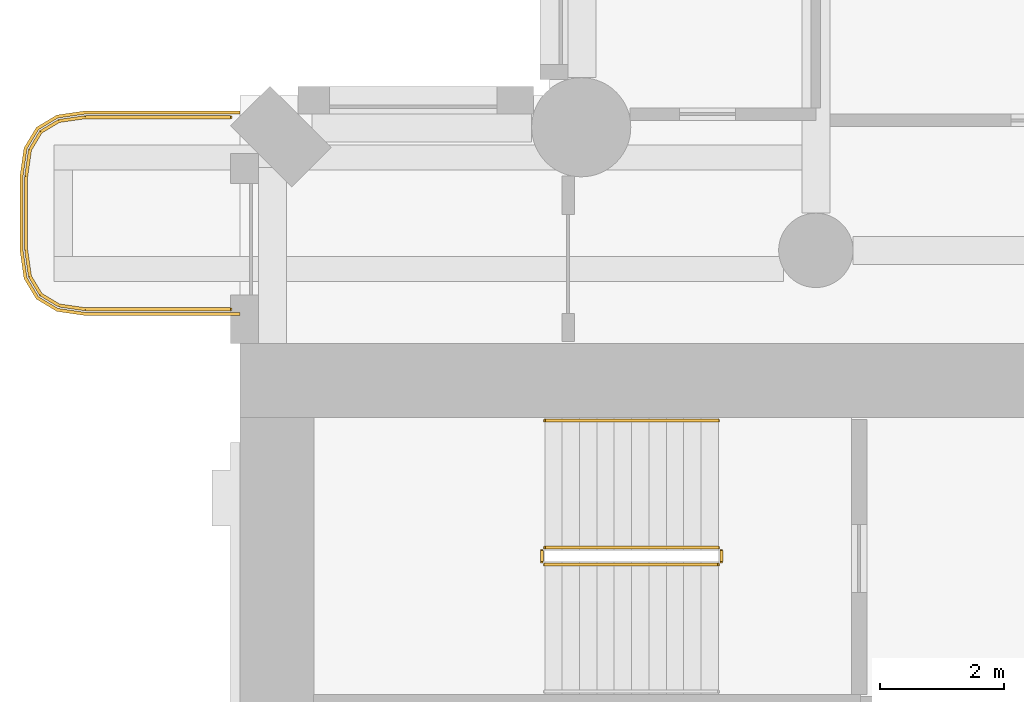
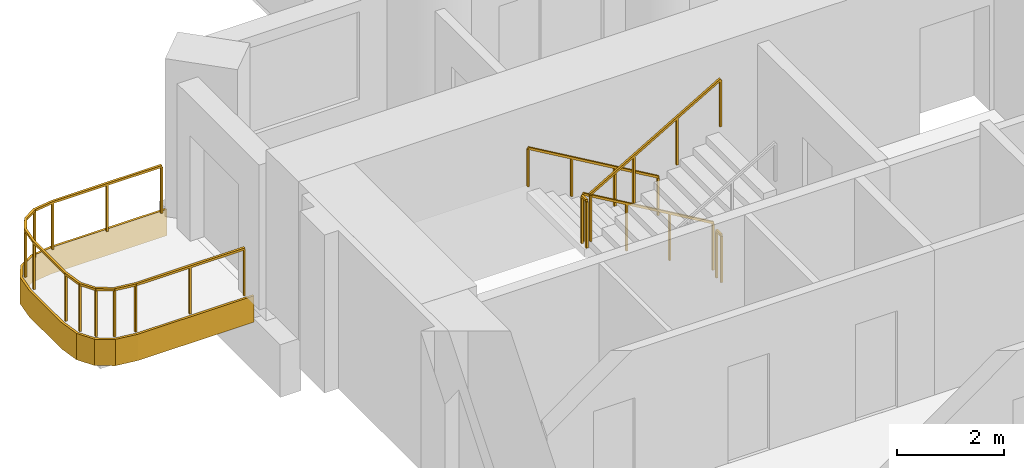
# One storey, part 16 of 19: 6 railings, 1 covering.
"""IFC4 building model written with IfcOpenShell, lengths in metres."""

from ifc_helpers import new_model, si_unit, direction, frame, origin, origin_2d, place, context, subcontext, project, spatial, polyline, rectangle, outline, extrude, material, layer, layer_set, type_object, element, save


model = new_model("IFC4")

# Units and contexts
model_context = context("Model", 3, precision=1e-05, world=origin(), true_north=direction((0.0, 1.0)))
body_context = subcontext(model_context, "Body", "Model", "MODEL_VIEW")
ifc_project = project(units=[si_unit("LENGTHUNIT", "METRE"), si_unit("AREAUNIT", "SQUARE_METRE"), si_unit("VOLUMEUNIT", "CUBIC_METRE"), si_unit("PLANEANGLEUNIT", "RADIAN"), si_unit("MASSUNIT", "GRAM", prefix="KILO")], contexts=[model_context])

# Site, building, storey
site_placement = place(None, origin())
site = spatial("IfcSite", under=ifc_project, at=site_placement, CompositionType="ELEMENT")
building_placement = place(site_placement, origin())
building = spatial("IfcBuilding", under=site, at=building_placement, Name="Cypress Arch Tower", CompositionType="ELEMENT")
storey_placement = place(building_placement, frame((0.0, 0.0, 66.300048828125)))
storey = spatial("IfcBuildingStorey", under=building, at=storey_placement, Name="L10", CompositionType="ELEMENT", Elevation=66.300048828125)

# Covering
ifc_material_1 = material(Name="White powder-coated aluminium fascia", Category="aluminium")
ifc_layer = layer(ifc_material_1, 0.050048828125)
ifc_layer_set = layer_set([ifc_layer], Name="Balcony fascia BF50")
covering_type = type_object("IfcCoveringType", Name="Balcony fascia BF50", PredefinedType="CLADDING", material=ifc_layer_set)
covering_placement = place(storey_placement, frame((0.0, 0.0, -0.60009765625)))
element("IfcCovering", 1, at=covering_placement, inside=storey, type_object=covering_type, Name="Balcony fascia L10-A00W0", PredefinedType="CLADDING", context=body_context, shape_type="SweptSolid", body=[
    extrude(outline(polyline([(-32.503662109375, 16.449951171875), (-32.95458984375, 16.514404296875), (-33.286376953125, 16.713623046875), (-33.485595703125, 17.04541015625), (-33.550048828125, 17.496337890625), (-33.550048828125, 18.70361328125), (-33.485595703125, 19.154541015625), (-33.286376953125, 19.486328125), (-32.95458984375, 19.685546875), (-32.503662109375, 19.75), (-30.0009765625, 19.75), (-30.0009765625, 19.699951171875), (-32.5, 19.699951171875), (-32.9375, 19.637451171875), (-33.25, 19.449951171875), (-33.4375, 19.137451171875), (-33.5, 18.699951171875), (-33.5, 17.5), (-33.4375, 17.0625), (-33.25, 16.75), (-32.9375, 16.5625), (-32.5, 16.5), (-30.0009765625, 16.5), (-30.0009765625, 16.449951171875), (-32.503662109375, 16.449951171875)])), origin(), (0.0, 0.0, 1.0), 0.60009765625),
])

# Railings
ifc_material_2 = material(Name="Powder-coated steel posts and rods, 100 mm clear between rods", Category="steel")
railing_type_1 = type_object("IfcRailingType", Name="Balcony guard GR1100", PredefinedType="GUARDRAIL", material=ifc_material_2)
railing_1_placement = place(storey_placement, frame((-30.14990234375, 16.550048828125, 0.0)))
element("IfcRailing", 2, at=railing_1_placement, inside=storey, type_object=railing_type_1, Name="Balcony guard L10-A00W0", PredefinedType="GUARDRAIL", context=body_context, shape_type="SweptSolid", body=[
    extrude(rectangle(XDim=0.050048828125, YDim=0.050048828125, at=origin_2d()), frame((0.0, 0.0, 1.0751953125), z_axis=(-1.0, 0.0, 0.0), x_axis=(0.0, -1.0, 0.0)), (0.0, 0.0, 1.0), 2.346435546875),
    extrude(rectangle(XDim=0.050048828125, YDim=0.050048828125, at=origin_2d()), frame((-2.346435546875, 0.0, 1.0751953125), z_axis=(-0.989960888959, 0.141341566184, 0.0), x_axis=(-0.141341566184, -0.989960888959, 0.0)), (0.0, 0.0, 1.0), 0.428466796875),
    extrude(rectangle(XDim=0.050048828125, YDim=0.050048828125, at=origin_2d()), frame((-2.7705078125, 0.060546875, 1.0751953125), z_axis=(-0.857681904839, 0.514180659021, 0.0), x_axis=(-0.514180659021, -0.857681904839, 0.0)), (0.0, 0.0, 1.0), 0.341796875),
    extrude(rectangle(XDim=0.050048828125, YDim=0.050048828125, at=origin_2d()), frame((-3.063720703125, 0.236328125, 1.0751953125), z_axis=(-0.514180659021, 0.857681904839, 0.0), x_axis=(-0.857681904839, -0.514180659021, 0.0)), (0.0, 0.0, 1.0), 0.341796875),
    extrude(rectangle(XDim=0.050048828125, YDim=0.050048828125, at=origin_2d()), frame((-3.239501953125, 0.529541015625, 1.0751953125), z_axis=(-0.141341566184, 0.989960888959, 0.0), x_axis=(-0.989960888959, -0.141341566184, 0.0)), (0.0, 0.0, 1.0), 0.428466796875),
    extrude(rectangle(XDim=0.050048828125, YDim=0.050048828125, at=origin_2d()), frame((-3.300048828125, 0.95361328125, 1.0751953125), z_axis=(0.0, 1.0, 0.0), x_axis=(-1.0, 0.0, 0.0)), (0.0, 0.0, 1.0), 1.19287109375),
    extrude(rectangle(XDim=0.050048828125, YDim=0.050048828125, at=origin_2d()), frame((-3.300048828125, 2.146484375, 1.0751953125), z_axis=(0.141421356237, 0.989949493661, 0.0), x_axis=(-0.989949493661, 0.141421356237, 0.0)), (0.0, 0.0, 1.0), 0.42822265625),
    extrude(rectangle(XDim=0.050048828125, YDim=0.050048828125, at=origin_2d()), frame((-3.239501953125, 2.5703125, 1.0751953125), z_axis=(0.514180659021, 0.857681904839, 0.0), x_axis=(-0.857681904839, 0.514180659021, 0.0)), (0.0, 0.0, 1.0), 0.341796875),
    extrude(rectangle(XDim=0.050048828125, YDim=0.050048828125, at=origin_2d()), frame((-3.063720703125, 2.863525390625, 1.0751953125), z_axis=(0.857681904839, 0.514180659021, 0.0), x_axis=(-0.514180659021, 0.857681904839, 0.0)), (0.0, 0.0, 1.0), 0.341796875),
    extrude(rectangle(XDim=0.050048828125, YDim=0.050048828125, at=origin_2d()), frame((-2.7705078125, 3.039306640625, 1.0751953125), z_axis=(0.989960888959, 0.141341566184, 0.0), x_axis=(-0.141341566184, 0.989960888959, 0.0)), (0.0, 0.0, 1.0), 0.428466796875),
    extrude(rectangle(XDim=0.050048828125, YDim=0.050048828125, at=origin_2d()), frame((-2.346435546875, 3.099853515625, 1.0751953125), z_axis=(1.0, 0.0, 0.0), x_axis=(0.0, 1.0, 0.0)), (0.0, 0.0, 1.0), 2.346435546875),
    extrude(rectangle(XDim=0.0400390625, YDim=0.0400390625, at=origin_2d()), origin(), (0.0, 0.0, 1.0), 1.050048828125),
    extrude(rectangle(XDim=0.0400390625, YDim=0.0400390625, at=origin_2d()), frame((-1.17333984375, 0.0, 0.0)), (0.0, 0.0, 1.0), 1.050048828125),
    extrude(rectangle(XDim=0.0400390625, YDim=0.0400390625, at=origin_2d()), frame((-2.346435546875, 0.0, 0.0)), (0.0, 0.0, 1.0), 1.050048828125),
    extrude(rectangle(XDim=0.0400390625, YDim=0.0400390625, at=origin_2d()), frame((-2.7705078125, 0.060546875, 0.0)), (0.0, 0.0, 1.0), 1.050048828125),
    extrude(rectangle(XDim=0.0400390625, YDim=0.0400390625, at=origin_2d()), frame((-3.063720703125, 0.236328125, 0.0)), (0.0, 0.0, 1.0), 1.050048828125),
    extrude(rectangle(XDim=0.0400390625, YDim=0.0400390625, at=origin_2d()), frame((-3.239501953125, 0.529541015625, 0.0)), (0.0, 0.0, 1.0), 1.050048828125),
    extrude(rectangle(XDim=0.0400390625, YDim=0.0400390625, at=origin_2d()), frame((-3.300048828125, 0.95361328125, 0.0)), (0.0, 0.0, 1.0), 1.050048828125),
    extrude(rectangle(XDim=0.0400390625, YDim=0.0400390625, at=origin_2d()), frame((-3.300048828125, 2.146484375, 0.0)), (0.0, 0.0, 1.0), 1.050048828125),
    extrude(rectangle(XDim=0.0400390625, YDim=0.0400390625, at=origin_2d()), frame((-3.239501953125, 2.5703125, 0.0)), (0.0, 0.0, 1.0), 1.050048828125),
    extrude(rectangle(XDim=0.0400390625, YDim=0.0400390625, at=origin_2d()), frame((-3.063720703125, 2.863525390625, 0.0)), (0.0, 0.0, 1.0), 1.050048828125),
    extrude(rectangle(XDim=0.0400390625, YDim=0.0400390625, at=origin_2d()), frame((-2.7705078125, 3.039306640625, 0.0)), (0.0, 0.0, 1.0), 1.050048828125),
    extrude(rectangle(XDim=0.0400390625, YDim=0.0400390625, at=origin_2d()), frame((-2.346435546875, 3.099853515625, 0.0)), (0.0, 0.0, 1.0), 1.050048828125),
    extrude(rectangle(XDim=0.0400390625, YDim=0.0400390625, at=origin_2d()), frame((-1.17333984375, 3.099853515625, 0.0)), (0.0, 0.0, 1.0), 1.050048828125),
    extrude(rectangle(XDim=0.0400390625, YDim=0.0400390625, at=origin_2d()), frame((0.0, 3.099853515625, 0.0)), (0.0, 0.0, 1.0), 1.050048828125),
])
ifc_material_3 = material(Name="Black powder-coated steel square bar 48 mm", Category="steel")
railing_type_2 = type_object("IfcRailingType", Name="Stair handrail HR1", PredefinedType="HANDRAIL", material=ifc_material_3)
railing_2_placement = place(storey_placement, frame((-22.27490234375, 14.75, 0.16357421875)))
element("IfcRailing", 3, at=railing_2_placement, inside=storey, type_object=railing_type_2, Name="L10 B stair handrail 1", PredefinedType="HANDRAIL", context=body_context, shape_type="SweptSolid", body=[
    extrude(rectangle(XDim=0.048095703125, YDim=0.048095703125, at=origin_2d()), frame((0.0, 0.0, 0.8759765625), z_axis=(-0.863360870873, 0.0, 0.504586966384), x_axis=(0.0, -1.0, 0.0)), (0.0, 0.0, 1.0), 3.2431640625),
    extrude(rectangle(XDim=0.0419921875, YDim=0.0419921875, at=origin_2d()), origin(), (0.0, 0.0, 1.0), 0.851806640625),
    extrude(rectangle(XDim=0.0419921875, YDim=0.0419921875, at=origin_2d()), frame((-0.933349609375, 0.0, 0.54541015625)), (0.0, 0.0, 1.0), 0.851806640625),
    extrude(rectangle(XDim=0.0419921875, YDim=0.0419921875, at=origin_2d()), frame((-1.86669921875, 0.0, 1.091064453125)), (0.0, 0.0, 1.0), 0.851806640625),
    extrude(rectangle(XDim=0.0419921875, YDim=0.0419921875, at=origin_2d()), frame((-2.800048828125, 0.0, 1.636474609375)), (0.0, 0.0, 1.0), 0.851806640625),
])
ifc_material_4 = material(Name="Black powder-coated steel balusters", Category="steel")
railing_type_3 = type_object("IfcRailingType", Name="Stair well guard G1", PredefinedType="GUARDRAIL", material=ifc_material_4)
railing_3_placement = place(storey_placement, frame((-22.27490234375, 12.699951171875, 0.16357421875)))
element("IfcRailing", 4, at=railing_3_placement, inside=storey, type_object=railing_type_3, Name="L10 B stair guard 1", PredefinedType="GUARDRAIL", context=body_context, shape_type="SweptSolid", body=[
    extrude(rectangle(XDim=0.048095703125, YDim=0.048095703125, at=origin_2d()), frame((0.0, 0.0, 1.076171875), z_axis=(-0.863360870873, 0.0, 0.504586966384), x_axis=(0.0, -1.0, 0.0)), (0.0, 0.0, 1.0), 3.2431640625),
    extrude(rectangle(XDim=0.0419921875, YDim=0.0419921875, at=origin_2d()), origin(), (0.0, 0.0, 1.0), 1.052001953125),
    extrude(rectangle(XDim=0.0419921875, YDim=0.0419921875, at=origin_2d()), frame((-0.933349609375, 0.0, 0.54541015625)), (0.0, 0.0, 1.0), 1.052001953125),
    extrude(rectangle(XDim=0.0419921875, YDim=0.0419921875, at=origin_2d()), frame((-1.86669921875, 0.0, 1.091064453125)), (0.0, 0.0, 1.0), 1.052001953125),
    extrude(rectangle(XDim=0.0419921875, YDim=0.0419921875, at=origin_2d()), frame((-2.800048828125, 0.0, 1.636474609375)), (0.0, 0.0, 1.0), 1.052001953125),
])
railing_4_placement = place(storey_placement, frame((-25.125, 12.64990234375, 1.800048828125)))
element("IfcRailing", 5, at=railing_4_placement, inside=storey, type_object=railing_type_3, Name="L10 B stair guard 2", PredefinedType="GUARDRAIL", context=body_context, shape_type="SweptSolid", body=[
    extrude(rectangle(XDim=0.048095703125, YDim=0.048095703125, at=origin_2d()), frame((0.0, 0.0, 1.076171875), z_axis=(0.0, -1.0, 0.0), x_axis=(1.0, 0.0, 0.0)), (0.0, 0.0, 1.0), 0.1748046875),
    extrude(rectangle(XDim=0.0419921875, YDim=0.0419921875, at=origin_2d()), origin(), (0.0, 0.0, 1.0), 1.052001953125),
    extrude(rectangle(XDim=0.0419921875, YDim=0.0419921875, at=origin_2d()), frame((0.0, -0.1748046875, 0.0)), (0.0, 0.0, 1.0), 1.052001953125),
])
railing_5_placement = place(storey_placement, frame((-25.074951171875, 12.425048828125, 1.963623046875)))
element("IfcRailing", 6, at=railing_5_placement, inside=storey, type_object=railing_type_3, Name="L10 B stair guard 3", PredefinedType="GUARDRAIL", context=body_context, shape_type="SweptSolid", body=[
    extrude(rectangle(XDim=0.048095703125, YDim=0.048095703125, at=origin_2d()), frame((0.0, 0.0, 1.076171875), z_axis=(0.863393664356, 0.0, 0.504530851732), x_axis=(0.0, 1.0, 0.0)), (0.0, 0.0, 1.0), 3.2431640625),
    extrude(rectangle(XDim=0.0419921875, YDim=0.0419921875, at=origin_2d()), origin(), (0.0, 0.0, 1.0), 1.052001953125),
    extrude(rectangle(XDim=0.0419921875, YDim=0.0419921875, at=origin_2d()), frame((0.933349609375, 0.0, 0.54541015625)), (0.0, 0.0, 1.0), 1.052001953125),
    extrude(rectangle(XDim=0.0419921875, YDim=0.0419921875, at=origin_2d()), frame((1.86669921875, 0.0, 1.0908203125)), (0.0, 0.0, 1.0), 1.052001953125),
    extrude(rectangle(XDim=0.0419921875, YDim=0.0419921875, at=origin_2d()), frame((2.800048828125, 0.0, 1.63623046875)), (0.0, 0.0, 1.0), 1.052001953125),
])
railing_6_placement = place(storey_placement, frame((-22.22509765625, 12.64990234375, 0.0)))
element("IfcRailing", 7, at=railing_6_placement, inside=storey, type_object=railing_type_3, Name="L10 B stair guard 4", PredefinedType="GUARDRAIL", context=body_context, shape_type="SweptSolid", body=[
    extrude(rectangle(XDim=0.048095703125, YDim=0.048095703125, at=origin_2d()), frame((0.0, 0.0, 1.076171875), z_axis=(0.0, -1.0, 0.0), x_axis=(1.0, 0.0, 0.0)), (0.0, 0.0, 1.0), 0.1748046875),
    extrude(rectangle(XDim=0.0419921875, YDim=0.0419921875, at=origin_2d()), origin(), (0.0, 0.0, 1.0), 1.052001953125),
    extrude(rectangle(XDim=0.0419921875, YDim=0.0419921875, at=origin_2d()), frame((0.0, -0.1748046875, 0.0)), (0.0, 0.0, 1.0), 1.052001953125),
])

save(model, "model.ifc")
